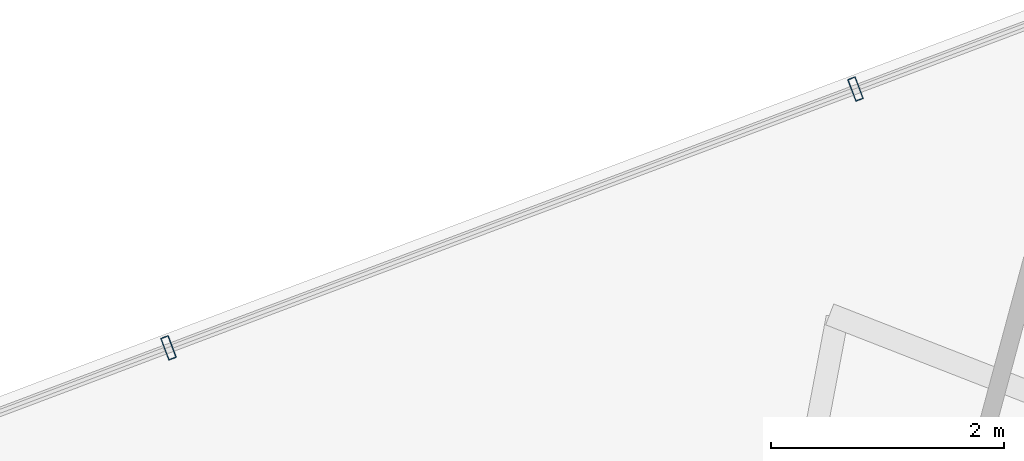
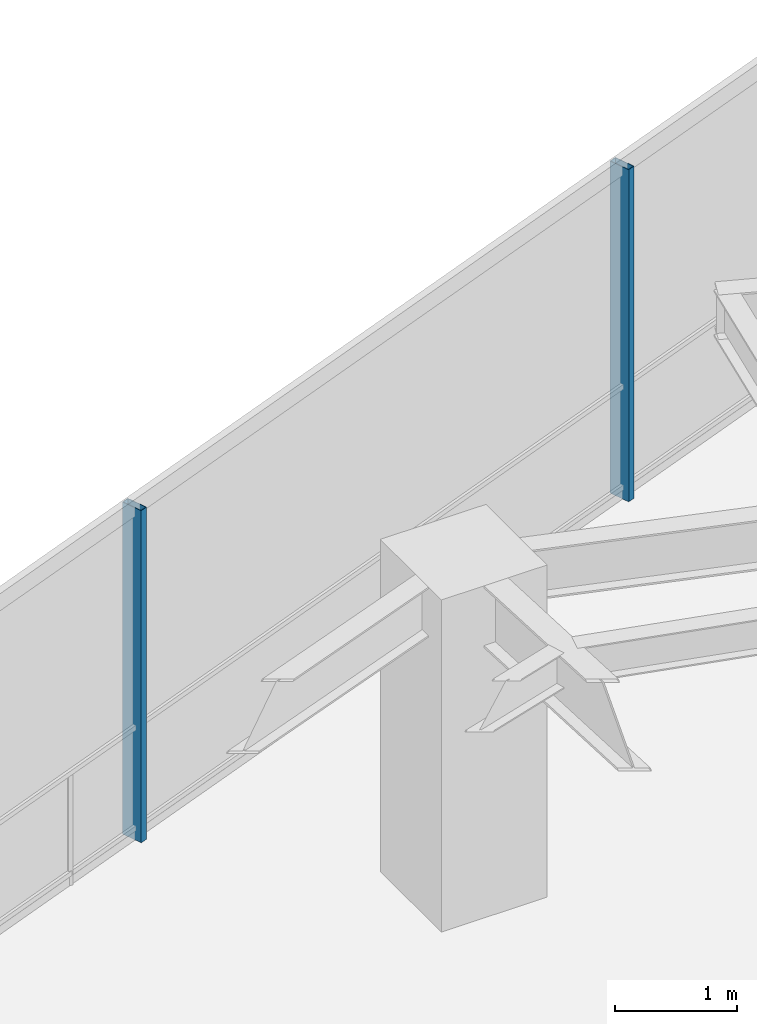
# One storey, part 12 of 19: 2 members, 1 element without a shape of its own.
"""IFC4 building model written with IfcOpenShell, lengths in metres."""

import ifcopenshell
import ifcopenshell.guid

model = None  # the IFC model being written
_history = None  # IfcOwnerHistory: only IFC2X3 demands one
_inside = {}  # id of a spatial element -> (the spatial element, [elements in it])
_under = {}  # id of a project, library or spatial element -> (it, [spatial elements below it])
_declared = {}  # id of a project -> (the project, [libraries it declares])
_typed = {}  # id of a type object -> (the type object, [elements of that type])
_made_of = {}  # id of a material, layer set ... -> (it, [elements and type objects made of it])


def new_model(schema):
    """Start an empty IFC model of exactly this schema.

    Asked for "IFC4X3", IfcOpenShell would pick the latest addendum, in which some entities
    have other attributes; the version numbers below select the first issue.
    IFC2X3 requires an IfcOwnerHistory on every rooted entity: one is made here for all.
    """
    global model, _history
    if schema == "IFC4X3":
        model = ifcopenshell.file(schema_version=(4, 3, 0, 0))
    else:
        model = ifcopenshell.file(schema=schema)
    _inside.clear()
    _under.clear()
    _declared.clear()
    _typed.clear()
    _made_of.clear()
    _history = None
    if model.schema == "IFC2X3":
        org = make("IfcOrganization", Name="unknown")
        user = make(
            "IfcPersonAndOrganization",
            ThePerson=make("IfcPerson", FamilyName="unknown"),
            TheOrganization=org,
        )
        app = make(
            "IfcApplication",
            ApplicationDeveloper=org,
            Version="unknown",
            ApplicationFullName="unknown",
            ApplicationIdentifier="unknown",
        )
        _history = make(
            "IfcOwnerHistory",
            OwningUser=user,
            OwningApplication=app,
            ChangeAction="ADDED",
            CreationDate=0,
        )
    return model


def make(cls, **values):
    """One entity of the class cls with the attributes given. An attribute that is None is left unset."""
    return model.create_entity(
        cls, **{name: value for name, value in values.items() if value is not None}
    )


def rooted(cls, **values):
    """An entity with a GlobalId (a new one), such as an element, a storey or a relation."""
    return make(cls, GlobalId=ifcopenshell.guid.new(), OwnerHistory=_history, **values)


def si_unit(unit_type, name, prefix=None):
    """IfcSIUnit, for example si_unit("LENGTHUNIT", "METRE", prefix="MILLI")."""
    return make("IfcSIUnit", UnitType=unit_type, Prefix=prefix, Name=name)


def assignment(units):
    """IfcUnitAssignment: the units of a project."""
    return None if units is None else make("IfcUnitAssignment", Units=units)


def point(xyz):
    """IfcCartesianPoint."""
    return None if xyz is None else make("IfcCartesianPoint", Coordinates=xyz)


def direction(xyz):
    """IfcDirection."""
    return None if xyz is None else make("IfcDirection", DirectionRatios=xyz)


def frame(location, z_axis=None, x_axis=None):
    """IfcAxis2Placement3D, a coordinate frame: its origin and axes. An axis left out is left unset."""
    return make(
        "IfcAxis2Placement3D",
        Location=point(location),
        Axis=direction(z_axis),
        RefDirection=direction(x_axis),
    )


def frame_2d(location, x_axis=None):
    """IfcAxis2Placement2D, a coordinate frame in the plane: its origin and x axis."""
    return make(
        "IfcAxis2Placement2D", Location=point(location), RefDirection=direction(x_axis)
    )


def origin():
    """The frame at (0, 0, 0) with its axes left unset."""
    return frame((0.0, 0.0, 0.0))


def origin_2d():
    """The frame at (0, 0) in the plane with its x axis left unset."""
    return frame_2d((0.0, 0.0))


def place(relative_to, where):
    """IfcLocalPlacement: puts the frame where relative to a parent placement (None: the world)."""
    return make(
        "IfcLocalPlacement", PlacementRelTo=relative_to, RelativePlacement=where
    )


def context(
    kind, dimensions, precision=None, world=None, true_north=None, identifier=None
):
    """IfcGeometricRepresentationContext, for example the 3D "Model" context."""
    return make(
        "IfcGeometricRepresentationContext",
        ContextIdentifier=identifier,
        ContextType=kind,
        CoordinateSpaceDimension=dimensions,
        Precision=precision,
        WorldCoordinateSystem=world,
        TrueNorth=true_north,
    )


def subcontext(parent, identifier, kind, view, scale=None):
    """IfcGeometricRepresentationSubContext, for example "Body" below "Model"."""
    return make(
        "IfcGeometricRepresentationSubContext",
        ContextIdentifier=identifier,
        ContextType=kind,
        ParentContext=parent,
        TargetScale=scale,
        TargetView=view,
    )


def project(units=None, contexts=None):
    """IfcProject with its units and contexts."""
    return rooted(
        "IfcProject",
        Name="project",
        RepresentationContexts=contexts,
        UnitsInContext=assignment(units),
    )


def spatial(cls, under=None, at=None, **own):
    """A site, building, storey or space (cls), placed at a placement, below another one or the project."""
    s = rooted(cls, ObjectPlacement=at, **own)
    if under is not None:
        _under.setdefault(under.id(), (under, []))[1].append(s)
    return s


def profile(cls, at=None, kind="AREA", **sizes):
    """A parametric profile (cls). Its sizes go by their IFC names, for example OverallWidth=200.0."""
    return make(cls, ProfileType=kind, Position=at, **sizes)


def hollow_rectangle(**sizes):
    """IfcRectangleHollowProfileDef."""
    return profile("IfcRectangleHollowProfileDef", **sizes)


def extrude(swept, where, along, depth):
    """IfcExtrudedAreaSolid: the profile swept, set in the frame where, extruded along a direction by depth."""
    return make(
        "IfcExtrudedAreaSolid",
        SweptArea=swept,
        Position=where,
        ExtrudedDirection=direction(along),
        Depth=depth,
    )


def shape(context_of_items, identifier, shape_type, items):
    """IfcShapeRepresentation: the items that make up one representation, for example the "Body"."""
    return make(
        "IfcShapeRepresentation",
        ContextOfItems=context_of_items,
        RepresentationIdentifier=identifier,
        RepresentationType=shape_type,
        Items=items,
    )


def material(Name=None, Category=None):
    """IfcMaterial."""
    return make("IfcMaterial", Name=Name, Category=Category)


def layer(
    of_material, thickness, ventilated=None, Name=None, Category=None, Priority=None
):
    """IfcMaterialLayer: one layer of a wall or slab, of a material (None: an air gap)."""
    return make(
        "IfcMaterialLayer",
        Material=of_material,
        LayerThickness=thickness,
        IsVentilated=ventilated,
        Name=Name,
        Category=Category,
        Priority=Priority,
    )


def layer_set(layers, Name=None):
    """IfcMaterialLayerSet."""
    return make("IfcMaterialLayerSet", MaterialLayers=layers, LayerSetName=Name)


def material_profile(
    of_material, cross_section, Name=None, Category=None, Priority=None
):
    """IfcMaterialProfile: a cross section and its material."""
    return make(
        "IfcMaterialProfile",
        Name=Name,
        Material=of_material,
        Profile=cross_section,
        Priority=Priority,
        Category=Category,
    )


def profile_set(profiles, Name=None, composite=None):
    """IfcMaterialProfileSet."""
    return make(
        "IfcMaterialProfileSet",
        Name=Name,
        MaterialProfiles=profiles,
        CompositeProfile=composite,
    )


def made_of(thing, what):
    """Note that an element or type object is made of a material, layer set ...; save() writes the relation."""
    if what is not None:
        _made_of.setdefault(what.id(), (what, []))[1].append(thing)
    return thing


def type_object(cls, material=None, **own):
    """A type object (cls), such as IfcWallType, which elements share."""
    return made_of(rooted(cls, **own), material)


def element(
    cls,
    number,
    at=None,
    inside=None,
    cuts=None,
    type_object=None,
    material=None,
    context=None,
    identifier="Body",
    shape_type=None,
    held_by="IfcProductDefinitionShape",
    body=None,
    shapes=None,
    **own,
):
    """One element of the class cls, such as IfcWall. Its Tag is "e" and its number.

    at: its placement. inside: the storey or other place that contains it. cuts: it is an
    opening in that element (IfcRelVoidsElement). A single representation is given by context,
    identifier, shape_type and body (its items); several are given by shapes. held_by: the class
    of the entity that holds the representations. save() writes the other relations.
    """
    e = rooted(cls, Tag="e%d" % number, ObjectPlacement=at, **own)
    if body is not None:
        shapes = [shape(context, identifier, shape_type, body)]
    if shapes is not None:
        e.Representation = make(held_by, Representations=shapes)
    if inside is not None:
        _inside.setdefault(inside.id(), (inside, []))[1].append(e)
    if cuts is not None:
        rooted(
            "IfcRelVoidsElement", RelatingBuildingElement=cuts, RelatedOpeningElement=e
        )
    if type_object is not None:
        _typed.setdefault(type_object.id(), (type_object, []))[1].append(e)
    return made_of(e, material)


def aggregate(whole, parts):
    """IfcRelAggregates: a whole, such as a stair, and the parts it consists of."""
    return rooted("IfcRelAggregates", RelatingObject=whole, RelatedObjects=parts)


def save(model, path):
    """Write the relations noted so far, then the file.

    IfcRelAggregates (storeys below a building ...), IfcRelContainedInSpatialStructure (elements
    in a storey), IfcRelDefinesByType, IfcRelAssociatesMaterial and IfcRelDeclares: one each for
    every whole, place, type object, material and project.
    """
    for whole, parts in _under.values():
        aggregate(whole, parts)
    for where, things in _inside.values():
        rooted(
            "IfcRelContainedInSpatialStructure",
            RelatedElements=things,
            RelatingStructure=where,
        )
    for kind, things in _typed.values():
        rooted("IfcRelDefinesByType", RelatedObjects=things, RelatingType=kind)
    for what, things in _made_of.values():
        rooted("IfcRelAssociatesMaterial", RelatedObjects=things, RelatingMaterial=what)
    for by, libraries in _declared.values():
        rooted("IfcRelDeclares", RelatingContext=by, RelatedDefinitions=libraries)
    model.write(path)


model = new_model("IFC4")

# Units and contexts
model_context = context("Model", 3, precision=1e-05, world=origin(), true_north=direction((0.0, 1.0)))
body_context = subcontext(model_context, "Body", "Model", "MODEL_VIEW")
ifc_project = project(units=[si_unit("LENGTHUNIT", "METRE"), si_unit("AREAUNIT", "SQUARE_METRE"), si_unit("VOLUMEUNIT", "CUBIC_METRE"), si_unit("PLANEANGLEUNIT", "RADIAN"), si_unit("MASSUNIT", "GRAM", prefix="KILO")], contexts=[model_context])

# Site, building, storey
site_placement = place(None, origin())
site = spatial("IfcSite", under=ifc_project, at=site_placement, CompositionType="ELEMENT")
building_placement = place(site_placement, origin())
building = spatial("IfcBuilding", under=site, at=building_placement, Name="Qarnah Convention Tower", CompositionType="ELEMENT")
storey_placement = place(building_placement, frame((0.0, 0.0, 143.699951171875)))
storey = spatial("IfcBuildingStorey", under=building, at=storey_placement, Name="L38", CompositionType="ELEMENT", Elevation=143.699951171875)

# Curtain wall, members
ifc_material_1 = material(Name="Tempered Low-E dark glass", Category="glass")
ifc_layer = layer(ifc_material_1, 0.172119140625)
ifc_layer_set = layer_set([ifc_layer], Name="Tempered Low-E dark glass")
curtain_wall_type = type_object("IfcCurtainWallType", Name="CWS-03", PredefinedType="NOTDEFINED", material=ifc_layer_set)
curtain_wall_placement = place(storey_placement, origin())
curtain_wall = element("IfcCurtainWall", 1, at=curtain_wall_placement, inside=storey, type_object=curtain_wall_type, Name="L38 unitised curtain wall CW-L38-F1", PredefinedType="NOTDEFINED")
ifc_material_2 = material(Name="Black anodised aluminium", Category="aluminium")
ifc_material_profile = material_profile(ifc_material_2, hollow_rectangle(XDim=0.070068359375, YDim=0.199951171875, WallThickness=0.0048828125, at=origin_2d()), Name="MUL-70X200")
ifc_profile_set = profile_set([ifc_material_profile], Name="Black anodised aluminium")
member_type = type_object("IfcMemberType", Name="MUL-T3", PredefinedType="MULLION", material=ifc_profile_set)
member_1_placement = place(storey_placement, frame((34.6884765625, 43.17919921875, 0.0), z_axis=(0.0, 0.0, 1.0), x_axis=(0.935807265092, 0.352512074404, 0.0)))
member_1 = element("IfcMember", 2, at=member_1_placement, type_object=member_type, Name="CW-L38-F1 mullion 4", PredefinedType="MULLION", context=body_context, shape_type="SweptSolid", body=[
    extrude(hollow_rectangle(XDim=0.070068359375, YDim=0.199951171875, WallThickness=0.0048828125, at=origin_2d()), origin(), (0.0, 0.0, 1.0), 3.320068359375),
])
member_2_placement = place(storey_placement, frame((40.580078125, 45.398681640625, 0.0), z_axis=(0.0, 0.0, 1.0), x_axis=(0.935807265092, 0.352512074404, 0.0)))
member_2 = element("IfcMember", 3, at=member_2_placement, type_object=member_type, Name="CW-L38-F1 mullion 5", PredefinedType="MULLION", context=body_context, shape_type="SweptSolid", body=[
    extrude(hollow_rectangle(XDim=0.070068359375, YDim=0.199951171875, WallThickness=0.0048828125, at=origin_2d()), origin(), (0.0, 0.0, 1.0), 3.320068359375),
])
aggregate(curtain_wall, [member_1, member_2])

save(model, "model.ifc")
